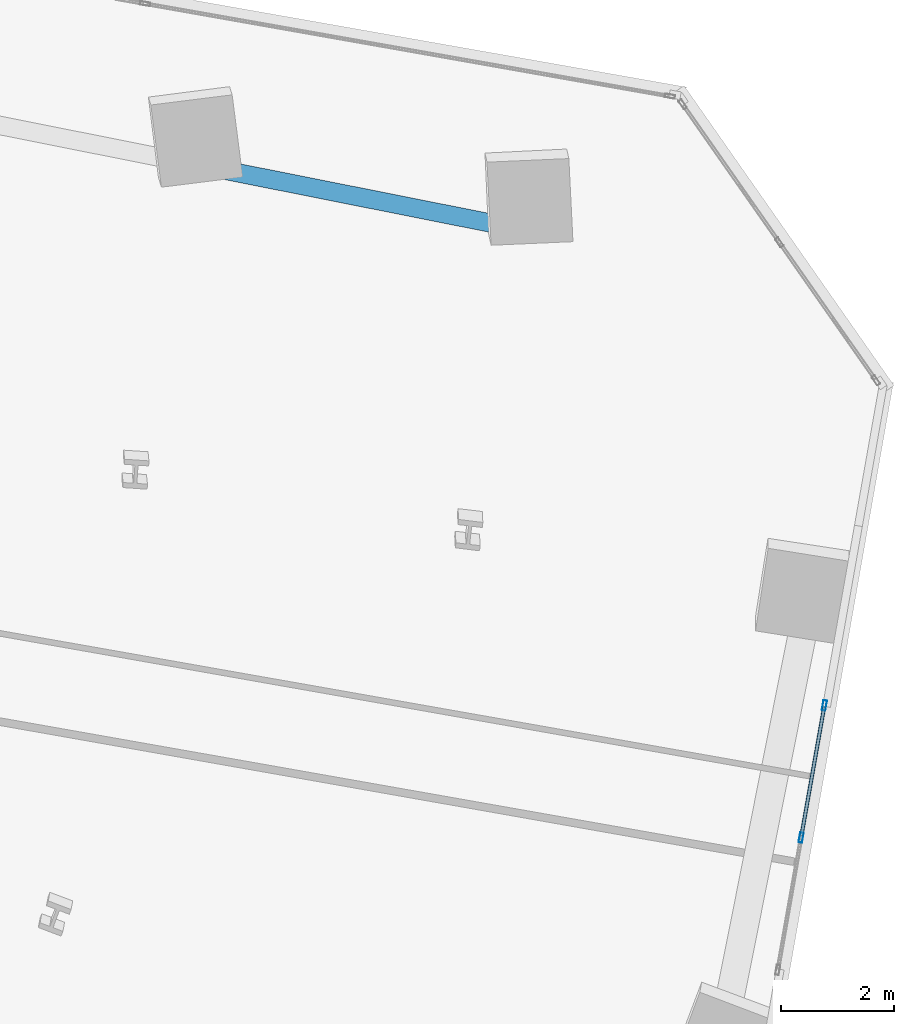
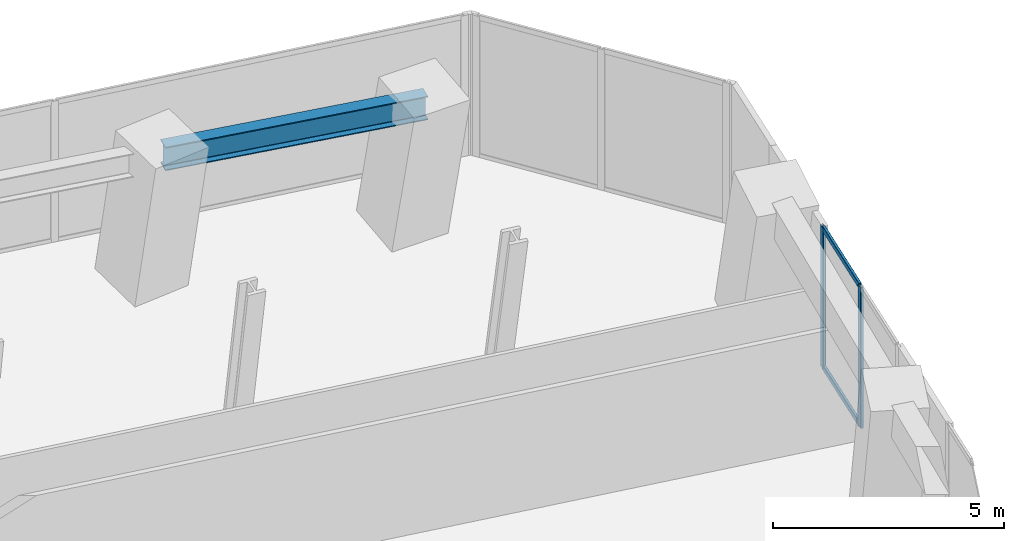
# One storey, part 11 of 24: 4 members, 1 beam, 1 element without a shape of its own.
"""IFC4 building model written with IfcOpenShell, lengths in metres."""

from ifc_helpers import new_model, si_unit, direction, frame, origin, origin_2d, place, context, subcontext, project, spatial, hollow_rectangle, i_section, extrude, source, transform, mapped, material, material_profile, profile_set, type_object, element, aggregate, save


model = new_model("IFC4")

# Units and contexts
model_context = context("Model", 3, precision=1e-05, world=origin(), true_north=direction((0.0, 1.0)))
body_context = subcontext(model_context, "Body", "Model", "MODEL_VIEW")
ifc_project = project(units=[si_unit("LENGTHUNIT", "METRE"), si_unit("AREAUNIT", "SQUARE_METRE"), si_unit("VOLUMEUNIT", "CUBIC_METRE"), si_unit("PLANEANGLEUNIT", "RADIAN"), si_unit("MASSUNIT", "GRAM", prefix="KILO")], contexts=[model_context])

# Site, building, storey
site_placement = place(None, origin())
site = spatial("IfcSite", under=ifc_project, at=site_placement, CompositionType="ELEMENT")
building_placement = place(site_placement, origin())
building = spatial("IfcBuilding", under=site, at=building_placement, Name="Torre Montelarca", CompositionType="ELEMENT")
storey_placement = place(building_placement, frame((0.0, 0.0, 79.0)))
storey = spatial("IfcBuildingStorey", under=building, at=storey_placement, Name="L17", CompositionType="ELEMENT", Elevation=79.0)

# Beam
ifc_material_1 = material(Name="Steel ASTM A992 Grade 50", Category="steel")
ifc_material_profile_1 = material_profile(ifc_material_1, i_section(OverallWidth=0.326904296875, OverallDepth=0.6220703125, WebThickness=0.015380859375, FlangeThickness=0.0244140625, FilletRadius=0.014892578125, at=origin_2d()), Name="W610X195", Category="steel")
ifc_profile_set_1 = profile_set([ifc_material_profile_1], Name="Steel ASTM A992 Grade 50")
beam_type = type_object("IfcBeamType", Name="BM-G-W610H", PredefinedType="BEAM", material=ifc_profile_set_1)
shared_shape_1 = source(origin(), body_context, "Body", "SweptSolid", [
    extrude(i_section(OverallWidth=0.326904296875, OverallDepth=0.6220703125, WebThickness=0.015380859375, FlangeThickness=0.0244140625, FilletRadius=0.014892578125, at=origin_2d()), origin(), (0.0, 0.0, 1.0), 5.999755859375),
])
beam_placement = place(storey_placement, frame((50.22216796875, 40.56103515625, 3.64892578125), z_axis=(0.980788276266, -0.195075260192, 0.0), x_axis=(0.195075260192, 0.980788276266, 0.0)))
element("IfcBeam", 1, at=beam_placement, inside=storey, type_object=beam_type, Name="L17 Grid Girder X 48.0-54.0 at Y=46.0", PredefinedType="BEAM", context=body_context, shape_type="MappedRepresentation", body=[
    mapped(shared_shape_1, transform((0.0, 0.0, 0.0), scale=1.0)),
])

# Curtain wall, members
ifc_material_2 = material(Name="Insulated low-E laminated glass", Category="glass")
curtain_wall_type = type_object("IfcCurtainWallType", Name="CW-SYS-Z1", PredefinedType="USERDEFINED", material=ifc_material_2)
curtain_wall_placement = place(storey_placement, origin())
curtain_wall = element("IfcCurtainWall", 2, at=curtain_wall_placement, inside=storey, type_object=curtain_wall_type, Name="L17 Curtain Wall Run CW-T3-L17-E06-B2", ObjectType="UNITISED GLAZING", PredefinedType="USERDEFINED")
ifc_material_3 = material(Name="Anodised aluminium AA 6063-T6", Category="aluminium")
ifc_material_profile_2 = material_profile(ifc_material_3, hollow_rectangle(XDim=0.06494140625, YDim=0.179931640625, WallThickness=0.00390625, InnerFilletRadius=0.00390625, OuterFilletRadius=0.008056640625, at=origin_2d()), Name="ALU65X180X4", Category="aluminium")
ifc_profile_set_2 = profile_set([ifc_material_profile_2], Name="Anodised aluminium AA 6063-T6")
member_type_1 = type_object("IfcMemberType", Name="CWM-ALU180", PredefinedType="MULLION", material=ifc_profile_set_2)
shared_shape_2 = source(origin(), body_context, "Body", "SweptSolid", [
    extrude(hollow_rectangle(XDim=0.06494140625, YDim=0.179931640625, WallThickness=0.00390625, InnerFilletRadius=0.00390625, OuterFilletRadius=0.008056640625, at=origin_2d()), origin(), (0.0, 0.0, 1.0), 3.719970703125),
])
member_1_placement = place(storey_placement, frame((60.788330078125, 28.668701171875, 0.0), z_axis=(0.0, 0.0, 1.0), x_axis=(-0.984809637697, 0.173637488749, 0.0)))
member_1 = element("IfcMember", 3, at=member_1_placement, type_object=member_type_1, Name="CW mullion 2", PredefinedType="MULLION", context=body_context, shape_type="MappedRepresentation", body=[
    mapped(shared_shape_2, transform((0.0, 0.0, 0.0), scale=1.0)),
])
member_2_placement = place(storey_placement, frame((61.201416015625, 31.011474609375, 0.0), z_axis=(0.0, 0.0, 1.0), x_axis=(-0.984809637697, 0.173637488749, 0.0)))
member_2 = element("IfcMember", 4, at=member_2_placement, type_object=member_type_1, Name="CW mullion 3", PredefinedType="MULLION", context=body_context, shape_type="MappedRepresentation", body=[
    mapped(shared_shape_2, transform((0.0, 0.0, 0.0), scale=1.0)),
])
ifc_material_profile_3 = material_profile(ifc_material_3, hollow_rectangle(XDim=0.06494140625, YDim=0.139892578125, WallThickness=0.00390625, InnerFilletRadius=0.00390625, OuterFilletRadius=0.008056640625, at=origin_2d()), Name="ALU65X140X4", Category="aluminium")
ifc_profile_set_3 = profile_set([ifc_material_profile_3], Name="Anodised aluminium AA 6063-T6")
member_type_2 = type_object("IfcMemberType", Name="CWT-ALU140", PredefinedType="USERDEFINED", material=ifc_profile_set_3)
shared_shape_3 = source(origin(), body_context, "Body", "SweptSolid", [
    extrude(hollow_rectangle(XDim=0.06494140625, YDim=0.139892578125, WallThickness=0.00390625, InnerFilletRadius=0.00390625, OuterFilletRadius=0.008056640625, at=origin_2d()), origin(), (0.0, 0.0, 1.0), 2.31396484375),
])
member_3_placement = place(storey_placement, frame((60.7939453125, 28.70068359375, 0.032470703125), z_axis=(0.173664955196, 0.984804794534, 0.0), x_axis=(-0.984804794534, 0.173664955196, 0.0)))
member_3 = element("IfcMember", 5, at=member_3_placement, type_object=member_type_2, Name="CW transom 2.1", ObjectType="TRANSOM", PredefinedType="USERDEFINED", context=body_context, shape_type="MappedRepresentation", body=[
    mapped(shared_shape_3, transform((0.0, 0.0, 0.0), scale=1.0)),
])
member_4_placement = place(storey_placement, frame((60.7939453125, 28.70068359375, 3.6875), z_axis=(0.173664955196, 0.984804794534, 0.0), x_axis=(-0.984804794534, 0.173664955196, 0.0)))
member_4 = element("IfcMember", 6, at=member_4_placement, type_object=member_type_2, Name="CW transom 2.2", ObjectType="TRANSOM", PredefinedType="USERDEFINED", context=body_context, shape_type="MappedRepresentation", body=[
    mapped(shared_shape_3, transform((0.0, 0.0, 0.0), scale=1.0)),
])
aggregate(curtain_wall, [member_1, member_2, member_3, member_4])

save(model, "model.ifc")
